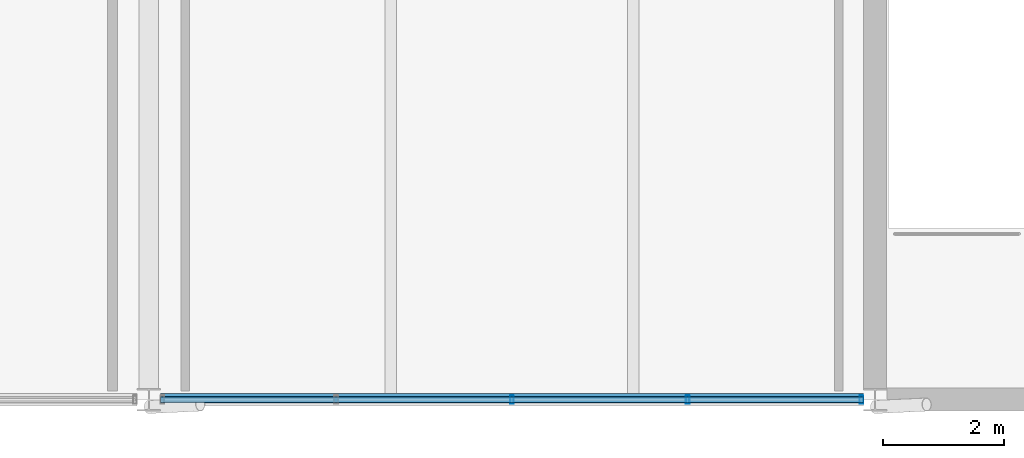
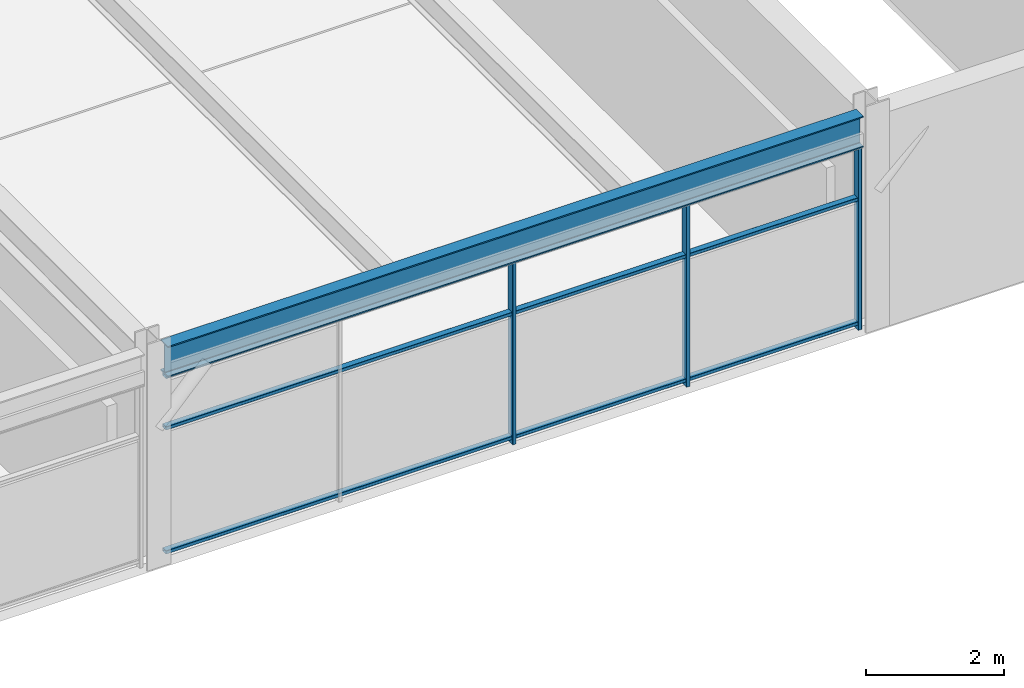
# One storey, part 14 of 52: 6 members, 1 beam, 1 element without a shape of its own.
"""IFC4 building model written with IfcOpenShell, lengths in metres."""

from ifc_helpers import new_model, si_unit, direction, frame, origin, origin_2d, place, context, subcontext, project, spatial, hollow_rectangle, i_section, extrude, material, material_profile, profile_set, type_object, element, aggregate, save


model = new_model("IFC4")

# Units and contexts
model_context = context("Model", 3, precision=1e-05, world=origin(), true_north=direction((0.0, 1.0)))
body_context = subcontext(model_context, "Body", "Model", "MODEL_VIEW")
ifc_project = project(units=[si_unit("LENGTHUNIT", "METRE"), si_unit("AREAUNIT", "SQUARE_METRE"), si_unit("VOLUMEUNIT", "CUBIC_METRE"), si_unit("PLANEANGLEUNIT", "RADIAN"), si_unit("MASSUNIT", "GRAM", prefix="KILO")], contexts=[model_context])

# Site, building, storey
site_placement = place(None, origin())
site = spatial("IfcSite", under=ifc_project, at=site_placement, CompositionType="ELEMENT")
building_placement = place(site_placement, origin())
building = spatial("IfcBuilding", under=site, at=building_placement, Name="Girod Span Mobility Hub", CompositionType="ELEMENT")
storey_placement = place(building_placement, frame((0.0, 0.0, 45.60009765625)))
storey = spatial("IfcBuildingStorey", under=building, at=storey_placement, Name="L11", CompositionType="ELEMENT", Elevation=45.60009765625)

# Beam
ifc_material_1 = material(Name="Steel A992 Grade 50", Category="steel")
ifc_material_profile_1 = material_profile(ifc_material_1, i_section(OverallWidth=0.2119140625, OverallDepth=0.5439453125, WebThickness=0.01318359375, FlangeThickness=0.021240234375, FilletRadius=0.014892578125, at=origin_2d()), Name="W21X83")
ifc_profile_set_1 = profile_set([ifc_material_profile_1], Name="Steel A992 Grade 50")
beam_type = type_object("IfcBeamType", Name="BM-STL-W21X83", PredefinedType="SPANDREL", material=ifc_profile_set_1)
beam_placement = place(storey_placement, frame((60.194091796875, 27.0, 3.5078125), z_axis=(1.0, 0.0, 0.0), x_axis=(0.0, 1.0, 0.0)))
element("IfcBeam", 1, at=beam_placement, inside=storey, type_object=beam_type, Name="Girder 6-7/C L11", PredefinedType="SPANDREL", context=body_context, shape_type="SweptSolid", body=[
    extrude(i_section(OverallWidth=0.2119140625, OverallDepth=0.5439453125, WebThickness=0.01318359375, FlangeThickness=0.021240234375, FilletRadius=0.014892578125, at=origin_2d()), origin(), (0.0, 0.0, 1.0), 11.61181640625),
])

# Curtain wall, members
ifc_material_2 = material(Name="Thermally Broken Anodised Aluminium", Category="aluminium")
curtain_wall_type = type_object("IfcCurtainWallType", Name="CW-1161X324", PredefinedType="USERDEFINED", material=ifc_material_2)
curtain_wall_placement = place(storey_placement, origin())
curtain_wall = element("IfcCurtainWall", 2, at=curtain_wall_placement, inside=storey, type_object=curtain_wall_type, Name="Unitised Curtain Wall CW-L11-S06 L11", ObjectType="UNITISED CURTAIN WALL", PredefinedType="USERDEFINED")
ifc_material_3 = material(Name="Thermally Broken Anodised Aluminium", Category="aluminium")
ifc_material_profile_2 = material_profile(ifc_material_3, hollow_rectangle(XDim=0.139892578125, YDim=0.06005859375, WallThickness=0.00341796875, InnerFilletRadius=0.00341796875, OuterFilletRadius=0.007080078125, at=origin_2d()), Name="CW-ML-60X140")
ifc_profile_set_2 = profile_set([ifc_material_profile_2], Name="Thermally Broken Anodised Aluminium")
member_type_1 = type_object("IfcMemberType", Name="CWM-ML-4", PredefinedType="MULLION", material=ifc_profile_set_2)
member_1_placement = place(storey_placement, frame((66.0, 27.0, 0.0), z_axis=(0.0, 0.0, 1.0), x_axis=(0.0, 1.0, 0.0)))
member_1 = element("IfcMember", 3, at=member_1_placement, type_object=member_type_1, Name="Curtain Wall Mullion CW-L11-S06-M2", PredefinedType="MULLION", context=body_context, shape_type="SweptSolid", body=[
    extrude(hollow_rectangle(XDim=0.139892578125, YDim=0.06005859375, WallThickness=0.00341796875, InnerFilletRadius=0.00341796875, OuterFilletRadius=0.007080078125, at=origin_2d()), origin(), (0.0, 0.0, 1.0), 3.23583984375),
])
member_2_placement = place(storey_placement, frame((68.902587890625, 27.0, 0.0), z_axis=(0.0, 0.0, 1.0), x_axis=(0.0, 1.0, 0.0)))
member_2 = element("IfcMember", 4, at=member_2_placement, type_object=member_type_1, Name="Curtain Wall Mullion CW-L11-S06-M3", PredefinedType="MULLION", context=body_context, shape_type="SweptSolid", body=[
    extrude(hollow_rectangle(XDim=0.139892578125, YDim=0.06005859375, WallThickness=0.00341796875, InnerFilletRadius=0.00341796875, OuterFilletRadius=0.007080078125, at=origin_2d()), origin(), (0.0, 0.0, 1.0), 3.23583984375),
])
member_3_placement = place(storey_placement, frame((71.77294921875, 27.0, 0.0), z_axis=(0.0, 0.0, 1.0), x_axis=(0.0, 1.0, 0.0)))
member_3 = element("IfcMember", 5, at=member_3_placement, type_object=member_type_1, Name="Curtain Wall Mullion CW-L11-S06-M4", PredefinedType="MULLION", context=body_context, shape_type="SweptSolid", body=[
    extrude(hollow_rectangle(XDim=0.139892578125, YDim=0.06005859375, WallThickness=0.00341796875, InnerFilletRadius=0.00341796875, OuterFilletRadius=0.007080078125, at=origin_2d()), origin(), (0.0, 0.0, 1.0), 3.23583984375),
])
ifc_material_4 = material(Name="Thermally Broken Anodised Aluminium", Category="aluminium")
ifc_material_profile_3 = material_profile(ifc_material_4, hollow_rectangle(XDim=0.10498046875, YDim=0.06005859375, WallThickness=0.00341796875, InnerFilletRadius=0.00341796875, OuterFilletRadius=0.007080078125, at=origin_2d()), Name="CW-TR-60X105")
ifc_profile_set_3 = profile_set([ifc_material_profile_3], Name="Thermally Broken Anodised Aluminium")
member_type_2 = type_object("IfcMemberType", Name="CWM-TR-4", PredefinedType="USERDEFINED", material=ifc_profile_set_3)
member_4_placement = place(storey_placement, frame((60.195068359375, 27.0, 0.10986328125), z_axis=(1.0, 0.0, 0.0), x_axis=(0.0, 1.0, 0.0)))
member_4 = element("IfcMember", 6, at=member_4_placement, type_object=member_type_2, Name="Curtain Wall Transom CW-L11-S06-T1", ObjectType="TRANSOM", PredefinedType="USERDEFINED", context=body_context, shape_type="SweptSolid", body=[
    extrude(hollow_rectangle(XDim=0.10498046875, YDim=0.06005859375, WallThickness=0.00341796875, InnerFilletRadius=0.00341796875, OuterFilletRadius=0.007080078125, at=origin_2d()), origin(), (0.0, 0.0, 1.0), 11.60986328125),
])
member_5_placement = place(storey_placement, frame((60.195068359375, 27.0, 2.2998046875), z_axis=(1.0, 0.0, 0.0), x_axis=(0.0, 1.0, 0.0)))
member_5 = element("IfcMember", 7, at=member_5_placement, type_object=member_type_2, Name="Curtain Wall Transom CW-L11-S06-T2", ObjectType="TRANSOM", PredefinedType="USERDEFINED", context=body_context, shape_type="SweptSolid", body=[
    extrude(hollow_rectangle(XDim=0.10498046875, YDim=0.06005859375, WallThickness=0.00341796875, InnerFilletRadius=0.00341796875, OuterFilletRadius=0.007080078125, at=origin_2d()), origin(), (0.0, 0.0, 1.0), 11.60986328125),
])
member_6_placement = place(storey_placement, frame((60.195068359375, 27.0, 3.205810546875), z_axis=(1.0, 0.0, 0.0), x_axis=(0.0, 1.0, 0.0)))
member_6 = element("IfcMember", 8, at=member_6_placement, type_object=member_type_2, Name="Curtain Wall Transom CW-L11-S06-T3", ObjectType="TRANSOM", PredefinedType="USERDEFINED", context=body_context, shape_type="SweptSolid", body=[
    extrude(hollow_rectangle(XDim=0.10498046875, YDim=0.06005859375, WallThickness=0.00341796875, InnerFilletRadius=0.00341796875, OuterFilletRadius=0.007080078125, at=origin_2d()), origin(), (0.0, 0.0, 1.0), 11.60986328125),
])
aggregate(curtain_wall, [member_1, member_2, member_3, member_4, member_5, member_6])

save(model, "model.ifc")
